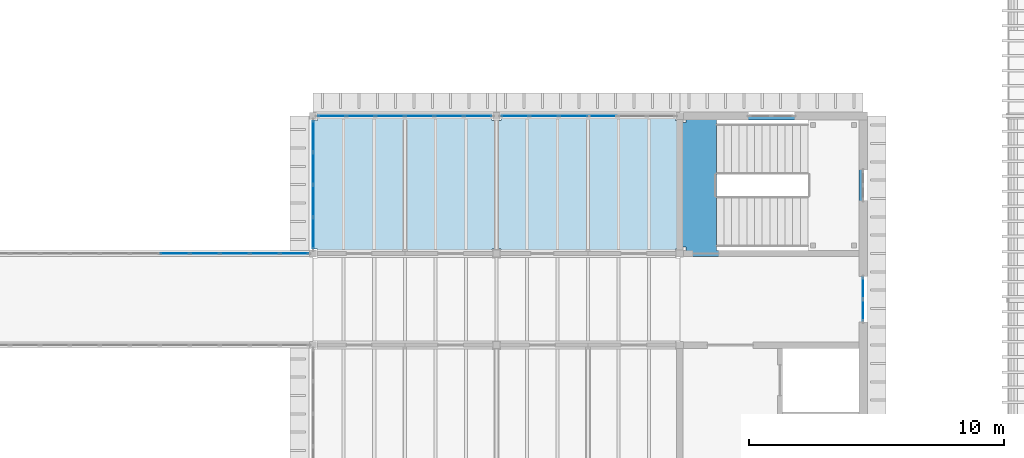
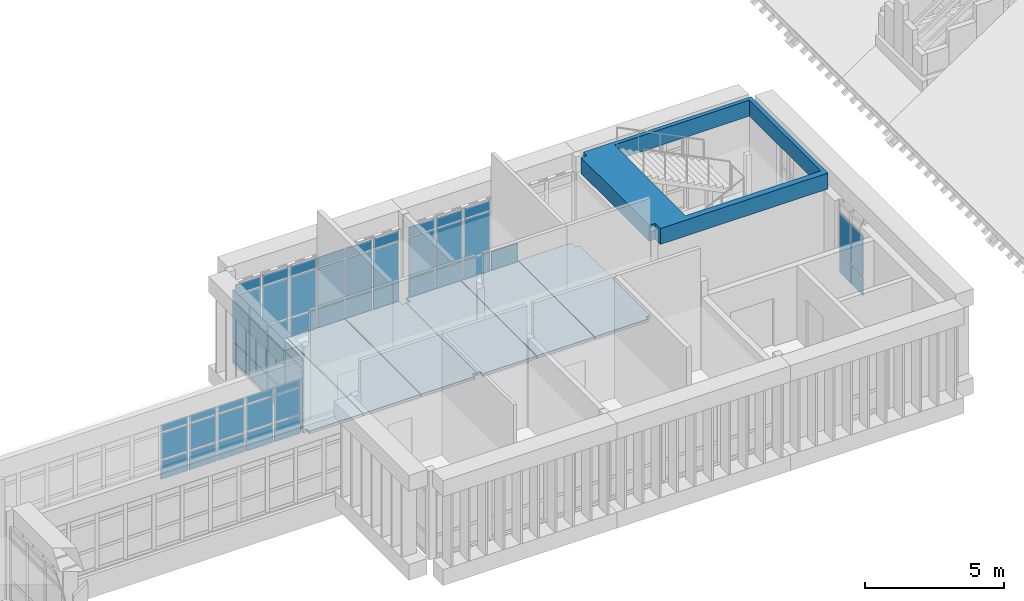
# One storey, part 27 of 51: 59 plates, 7 slabs, 5 elements without a shape of their own.
"""IFC4 building model written with IfcOpenShell, lengths in metres."""

from ifc_helpers import new_model, si_unit, direction, frame, origin, origin_2d, place, context, subcontext, project, spatial, polyline, rectangle, outline, extrude, material, layer, layer_set, type_object, element, aggregate, save


model = new_model("IFC4")

# Units and contexts
model_context = context("Model", 3, precision=1e-05, world=origin(), true_north=direction((0.0, 1.0)))
body_context = subcontext(model_context, "Body", "Model", "MODEL_VIEW")
ifc_project = project(units=[si_unit("LENGTHUNIT", "METRE"), si_unit("AREAUNIT", "SQUARE_METRE"), si_unit("VOLUMEUNIT", "CUBIC_METRE"), si_unit("PLANEANGLEUNIT", "RADIAN"), si_unit("MASSUNIT", "GRAM", prefix="KILO")], contexts=[model_context])

# Site, building, storey
site_placement = place(None, origin())
site = spatial("IfcSite", under=ifc_project, at=site_placement, CompositionType="ELEMENT")
building_placement = place(site_placement, origin())
building = spatial("IfcBuilding", under=site, at=building_placement, Name="Mazhai Court Health Centre", CompositionType="ELEMENT")
storey_placement = place(building_placement, frame((0.0, 0.0, 14.10009765625)))
storey = spatial("IfcBuildingStorey", under=building, at=storey_placement, Name="L03", CompositionType="ELEMENT", Elevation=14.10009765625)

# Slabs
ifc_material_1 = material(Name="CLT C24 5-ply", Category="wood")
ifc_layer_1 = layer(ifc_material_1, 0.1201171875)
ifc_layer_set_1 = layer_set([ifc_layer_1], Name="CLT C24 5-ply 120 floor panel")
slab_type_1 = type_object("IfcSlabType", Name="CLT C24 5-ply 120 floor panel", PredefinedType="FLOOR", material=ifc_layer_set_1)
slab_1_placement = place(storey_placement, frame((0.0, 0.0, -0.1201171875)))
element("IfcSlab", 1, at=slab_1_placement, inside=storey, type_object=slab_type_1, Name="slab-V4-L03-b5-B0", PredefinedType="FLOOR", context=body_context, shape_type="SweptSolid", body=[
    extrude(outline(polyline([(109.389892578125, 27.919921875), (107.169921875, 27.919921875), (107.169921875, 27.6298828125), (107.0, 27.6298828125), (107.0, 22.570068359375), (107.169921875, 22.570068359375), (107.169921875, 22.409912109375), (109.389892578125, 22.409912109375), (109.389892578125, 27.919921875)])), origin(), (0.0, 0.0, 1.0), 0.1201171875),
])
slab_2_placement = place(storey_placement, frame((0.0, 0.0, -0.1201171875)))
element("IfcSlab", 2, at=slab_2_placement, inside=storey, type_object=slab_type_1, Name="slab-V4-L03-b5-B1", PredefinedType="FLOOR", context=body_context, shape_type="SweptSolid", body=[
    extrude(outline(polyline([(109.409912109375, 22.409912109375), (111.7900390625, 22.409912109375), (111.7900390625, 27.919921875), (109.409912109375, 27.919921875), (109.409912109375, 22.409912109375)])), origin(), (0.0, 0.0, 1.0), 0.1201171875),
])
slab_3_placement = place(storey_placement, frame((0.0, 0.0, -0.1201171875)))
element("IfcSlab", 3, at=slab_3_placement, inside=storey, type_object=slab_type_1, Name="slab-V4-L03-b5-B2", PredefinedType="FLOOR", context=body_context, shape_type="SweptSolid", body=[
    extrude(outline(polyline([(114.199951171875, 22.570068359375), (114.199951171875, 27.6298828125), (114.030029296875, 27.6298828125), (114.030029296875, 27.919921875), (111.81005859375, 27.919921875), (111.81005859375, 22.409912109375), (114.030029296875, 22.409912109375), (114.030029296875, 22.570068359375), (114.199951171875, 22.570068359375)])), origin(), (0.0, 0.0, 1.0), 0.1201171875),
])
slab_4_placement = place(storey_placement, frame((0.0, 0.0, -0.1201171875)))
element("IfcSlab", 4, at=slab_4_placement, inside=storey, type_object=slab_type_1, Name="slab-V4-L03-b6-B0", PredefinedType="FLOOR", context=body_context, shape_type="SweptSolid", body=[
    extrude(outline(polyline([(116.590087890625, 27.919921875), (114.3701171875, 27.919921875), (114.3701171875, 27.6298828125), (114.199951171875, 27.6298828125), (114.199951171875, 22.570068359375), (114.3701171875, 22.570068359375), (114.3701171875, 22.409912109375), (116.590087890625, 22.409912109375), (116.590087890625, 27.919921875)])), origin(), (0.0, 0.0, 1.0), 0.1201171875),
])
slab_5_placement = place(storey_placement, frame((0.0, 0.0, -0.1201171875)))
element("IfcSlab", 5, at=slab_5_placement, inside=storey, type_object=slab_type_1, Name="slab-V4-L03-b6-B1", PredefinedType="FLOOR", context=body_context, shape_type="SweptSolid", body=[
    extrude(outline(polyline([(116.610107421875, 22.409912109375), (118.989990234375, 22.409912109375), (118.989990234375, 27.919921875), (116.610107421875, 27.919921875), (116.610107421875, 22.409912109375)])), origin(), (0.0, 0.0, 1.0), 0.1201171875),
])
slab_6_placement = place(storey_placement, frame((0.0, 0.0, -0.1201171875)))
element("IfcSlab", 6, at=slab_6_placement, inside=storey, type_object=slab_type_1, Name="slab-V4-L03-b6-B2", PredefinedType="FLOOR", context=body_context, shape_type="SweptSolid", body=[
    extrude(outline(polyline([(121.39990234375, 22.570068359375), (121.39990234375, 27.6298828125), (121.22998046875, 27.6298828125), (121.22998046875, 27.919921875), (119.010009765625, 27.919921875), (119.010009765625, 22.409912109375), (121.22998046875, 22.409912109375), (121.22998046875, 22.570068359375), (121.39990234375, 22.570068359375)])), origin(), (0.0, 0.0, 1.0), 0.1201171875),
])

# Curtain wall, plates
ifc_material_2 = material(Name="Teak timber frame, glazed", Category="wood")
ifc_layer_2 = layer(ifc_material_2, 0.10009765625)
ifc_layer_set_2 = layer_set([ifc_layer_2], Name="CURTAIN WALL TIMBER 900")
curtain_wall_type_1 = type_object("IfcCurtainWallType", Name="CURTAIN WALL TIMBER 900", PredefinedType="NOTDEFINED", material=ifc_layer_set_2)
curtain_wall_1_placement = place(storey_placement, origin())
curtain_wall_1 = element("IfcCurtainWall", 7, at=curtain_wall_1_placement, inside=storey, type_object=curtain_wall_type_1, Name="CW-V4-L03-ELIFT0", PredefinedType="NOTDEFINED")
ifc_material_3 = material(Name="Glass IGU 28 mm", Category="glass")
ifc_layer_3 = layer(ifc_material_3, 0.028076171875)
ifc_layer_set_3 = layer_set([ifc_layer_3], Name="CW PANEL IGU 28")
plate_type = type_object("IfcPlateType", Name="CW PANEL IGU 28", PredefinedType="CURTAIN_PANEL", material=ifc_layer_set_3)
plate_1_placement = place(storey_placement, frame((128.60009765625, 21.034912109375, 0.059814453125), z_axis=(0.0, 0.0, 1.0), x_axis=(0.0, -1.0, 0.0)))
plate_1 = element("IfcPlate", 8, at=plate_1_placement, type_object=plate_type, Name="CW panel 1.1", PredefinedType="CURTAIN_PANEL", context=body_context, shape_type="SweptSolid", body=[
    extrude(rectangle(XDim=0.81005859375, YDim=0.028076171875, at=origin_2d()), origin(), (0.0, 0.0, 1.0), 0.81005859375),
])
plate_2_placement = place(storey_placement, frame((128.60009765625, 21.034912109375, 0.9296875), z_axis=(0.0, 0.0, 1.0), x_axis=(0.0, -1.0, 0.0)))
plate_2 = element("IfcPlate", 9, at=plate_2_placement, type_object=plate_type, Name="CW panel 1.2", PredefinedType="CURTAIN_PANEL", context=body_context, shape_type="SweptSolid", body=[
    extrude(rectangle(XDim=0.81005859375, YDim=0.028076171875, at=origin_2d()), origin(), (0.0, 0.0, 1.0), 1.739990234375),
])
plate_3_placement = place(storey_placement, frame((128.60009765625, 20.1650390625, 0.059814453125), z_axis=(0.0, 0.0, 1.0), x_axis=(0.0, -1.0, 0.0)))
plate_3 = element("IfcPlate", 10, at=plate_3_placement, type_object=plate_type, Name="CW panel 2.1", PredefinedType="CURTAIN_PANEL", context=body_context, shape_type="SweptSolid", body=[
    extrude(rectangle(XDim=0.81005859375, YDim=0.028076171875, at=origin_2d()), origin(), (0.0, 0.0, 1.0), 0.81005859375),
])
plate_4_placement = place(storey_placement, frame((128.60009765625, 20.1650390625, 0.9296875), z_axis=(0.0, 0.0, 1.0), x_axis=(0.0, -1.0, 0.0)))
plate_4 = element("IfcPlate", 11, at=plate_4_placement, type_object=plate_type, Name="CW panel 2.2", PredefinedType="CURTAIN_PANEL", context=body_context, shape_type="SweptSolid", body=[
    extrude(rectangle(XDim=0.81005859375, YDim=0.028076171875, at=origin_2d()), origin(), (0.0, 0.0, 1.0), 1.739990234375),
])
aggregate(curtain_wall_1, [plate_1, plate_2, plate_3, plate_4])

ifc_material_4 = material(Name="Teak timber frame, glazed", Category="wood")
ifc_layer_4 = layer(ifc_material_4, 0.10009765625)
ifc_layer_set_4 = layer_set([ifc_layer_4], Name="CURTAIN WALL TIMBER 1200")
curtain_wall_type_2 = type_object("IfcCurtainWallType", Name="CURTAIN WALL TIMBER 1200", PredefinedType="NOTDEFINED", material=ifc_layer_set_4)
curtain_wall_2_placement = place(storey_placement, origin())
curtain_wall_2 = element("IfcCurtainWall", 12, at=curtain_wall_2_placement, inside=storey, type_object=curtain_wall_type_2, Name="CW-V4-L03-B5", PredefinedType="NOTDEFINED")
plate_5_placement = place(storey_placement, frame((107.731689453125, 27.800048828125, 0.059814453125), z_axis=(0.0, 0.0, 1.0), x_axis=(1.0, 0.0, 0.0)))
plate_5 = element("IfcPlate", 13, at=plate_5_placement, type_object=plate_type, Name="CW panel 1.1", PredefinedType="CURTAIN_PANEL", context=body_context, shape_type="SweptSolid", body=[
    extrude(rectangle(XDim=1.063232421875, YDim=0.028076171875, at=origin_2d()), origin(), (0.0, 0.0, 1.0), 0.81005859375),
])
plate_6_placement = place(storey_placement, frame((107.731689453125, 27.800048828125, 0.9296875), z_axis=(0.0, 0.0, 1.0), x_axis=(1.0, 0.0, 0.0)))
plate_6 = element("IfcPlate", 14, at=plate_6_placement, type_object=plate_type, Name="CW panel 1.2", PredefinedType="CURTAIN_PANEL", context=body_context, shape_type="SweptSolid", body=[
    extrude(rectangle(XDim=1.063232421875, YDim=0.028076171875, at=origin_2d()), origin(), (0.0, 0.0, 1.0), 1.739990234375),
])
plate_7_placement = place(storey_placement, frame((107.731689453125, 27.800048828125, 2.72998046875), z_axis=(0.0, 0.0, 1.0), x_axis=(1.0, 0.0, 0.0)))
plate_7 = element("IfcPlate", 15, at=plate_7_placement, type_object=plate_type, Name="CW panel 1.3", PredefinedType="CURTAIN_PANEL", context=body_context, shape_type="SweptSolid", body=[
    extrude(rectangle(XDim=1.063232421875, YDim=0.028076171875, at=origin_2d()), origin(), (0.0, 0.0, 1.0), 0.409912109375),
])
plate_8_placement = place(storey_placement, frame((108.8701171875, 27.800048828125, 0.059814453125), z_axis=(0.0, 0.0, 1.0), x_axis=(1.0, 0.0, 0.0)))
plate_8 = element("IfcPlate", 16, at=plate_8_placement, type_object=plate_type, Name="CW panel 2.1", PredefinedType="CURTAIN_PANEL", context=body_context, shape_type="SweptSolid", body=[
    extrude(rectangle(XDim=1.09326171875, YDim=0.028076171875, at=origin_2d()), origin(), (0.0, 0.0, 1.0), 0.81005859375),
])
plate_9_placement = place(storey_placement, frame((108.8701171875, 27.800048828125, 0.9296875), z_axis=(0.0, 0.0, 1.0), x_axis=(1.0, 0.0, 0.0)))
plate_9 = element("IfcPlate", 17, at=plate_9_placement, type_object=plate_type, Name="CW panel 2.2", PredefinedType="CURTAIN_PANEL", context=body_context, shape_type="SweptSolid", body=[
    extrude(rectangle(XDim=1.09326171875, YDim=0.028076171875, at=origin_2d()), origin(), (0.0, 0.0, 1.0), 1.739990234375),
])
plate_10_placement = place(storey_placement, frame((108.8701171875, 27.800048828125, 2.72998046875), z_axis=(0.0, 0.0, 1.0), x_axis=(1.0, 0.0, 0.0)))
plate_10 = element("IfcPlate", 18, at=plate_10_placement, type_object=plate_type, Name="CW panel 2.3", PredefinedType="CURTAIN_PANEL", context=body_context, shape_type="SweptSolid", body=[
    extrude(rectangle(XDim=1.09326171875, YDim=0.028076171875, at=origin_2d()), origin(), (0.0, 0.0, 1.0), 0.409912109375),
])
plate_11_placement = place(storey_placement, frame((110.0234375, 27.800048828125, 0.059814453125), z_axis=(0.0, 0.0, 1.0), x_axis=(1.0, 0.0, 0.0)))
plate_11 = element("IfcPlate", 19, at=plate_11_placement, type_object=plate_type, Name="CW panel 3.1", PredefinedType="CURTAIN_PANEL", context=body_context, shape_type="SweptSolid", body=[
    extrude(rectangle(XDim=1.09326171875, YDim=0.028076171875, at=origin_2d()), origin(), (0.0, 0.0, 1.0), 0.81005859375),
])
plate_12_placement = place(storey_placement, frame((110.0234375, 27.800048828125, 0.9296875), z_axis=(0.0, 0.0, 1.0), x_axis=(1.0, 0.0, 0.0)))
plate_12 = element("IfcPlate", 20, at=plate_12_placement, type_object=plate_type, Name="CW panel 3.2", PredefinedType="CURTAIN_PANEL", context=body_context, shape_type="SweptSolid", body=[
    extrude(rectangle(XDim=1.09326171875, YDim=0.028076171875, at=origin_2d()), origin(), (0.0, 0.0, 1.0), 1.739990234375),
])
plate_13_placement = place(storey_placement, frame((110.0234375, 27.800048828125, 2.72998046875), z_axis=(0.0, 0.0, 1.0), x_axis=(1.0, 0.0, 0.0)))
plate_13 = element("IfcPlate", 21, at=plate_13_placement, type_object=plate_type, Name="CW panel 3.3", PredefinedType="CURTAIN_PANEL", context=body_context, shape_type="SweptSolid", body=[
    extrude(rectangle(XDim=1.09326171875, YDim=0.028076171875, at=origin_2d()), origin(), (0.0, 0.0, 1.0), 0.409912109375),
])
plate_14_placement = place(storey_placement, frame((111.1767578125, 27.800048828125, 0.059814453125), z_axis=(0.0, 0.0, 1.0), x_axis=(1.0, 0.0, 0.0)))
plate_14 = element("IfcPlate", 22, at=plate_14_placement, type_object=plate_type, Name="CW panel 4.1", PredefinedType="CURTAIN_PANEL", context=body_context, shape_type="SweptSolid", body=[
    extrude(rectangle(XDim=1.09326171875, YDim=0.028076171875, at=origin_2d()), origin(), (0.0, 0.0, 1.0), 0.81005859375),
])
plate_15_placement = place(storey_placement, frame((111.1767578125, 27.800048828125, 0.9296875), z_axis=(0.0, 0.0, 1.0), x_axis=(1.0, 0.0, 0.0)))
plate_15 = element("IfcPlate", 23, at=plate_15_placement, type_object=plate_type, Name="CW panel 4.2", PredefinedType="CURTAIN_PANEL", context=body_context, shape_type="SweptSolid", body=[
    extrude(rectangle(XDim=1.09326171875, YDim=0.028076171875, at=origin_2d()), origin(), (0.0, 0.0, 1.0), 1.739990234375),
])
plate_16_placement = place(storey_placement, frame((111.1767578125, 27.800048828125, 2.72998046875), z_axis=(0.0, 0.0, 1.0), x_axis=(1.0, 0.0, 0.0)))
plate_16 = element("IfcPlate", 24, at=plate_16_placement, type_object=plate_type, Name="CW panel 4.3", PredefinedType="CURTAIN_PANEL", context=body_context, shape_type="SweptSolid", body=[
    extrude(rectangle(XDim=1.09326171875, YDim=0.028076171875, at=origin_2d()), origin(), (0.0, 0.0, 1.0), 0.409912109375),
])
plate_17_placement = place(storey_placement, frame((112.330078125, 27.800048828125, 0.059814453125), z_axis=(0.0, 0.0, 1.0), x_axis=(1.0, 0.0, 0.0)))
plate_17 = element("IfcPlate", 25, at=plate_17_placement, type_object=plate_type, Name="CW panel 5.1", PredefinedType="CURTAIN_PANEL", context=body_context, shape_type="SweptSolid", body=[
    extrude(rectangle(XDim=1.09326171875, YDim=0.028076171875, at=origin_2d()), origin(), (0.0, 0.0, 1.0), 0.81005859375),
])
plate_18_placement = place(storey_placement, frame((112.330078125, 27.800048828125, 0.9296875), z_axis=(0.0, 0.0, 1.0), x_axis=(1.0, 0.0, 0.0)))
plate_18 = element("IfcPlate", 26, at=plate_18_placement, type_object=plate_type, Name="CW panel 5.2", PredefinedType="CURTAIN_PANEL", context=body_context, shape_type="SweptSolid", body=[
    extrude(rectangle(XDim=1.09326171875, YDim=0.028076171875, at=origin_2d()), origin(), (0.0, 0.0, 1.0), 1.739990234375),
])
plate_19_placement = place(storey_placement, frame((112.330078125, 27.800048828125, 2.72998046875), z_axis=(0.0, 0.0, 1.0), x_axis=(1.0, 0.0, 0.0)))
plate_19 = element("IfcPlate", 27, at=plate_19_placement, type_object=plate_type, Name="CW panel 5.3", PredefinedType="CURTAIN_PANEL", context=body_context, shape_type="SweptSolid", body=[
    extrude(rectangle(XDim=1.09326171875, YDim=0.028076171875, at=origin_2d()), origin(), (0.0, 0.0, 1.0), 0.409912109375),
])
plate_20_placement = place(storey_placement, frame((113.46826171875, 27.800048828125, 0.059814453125), z_axis=(0.0, 0.0, 1.0), x_axis=(1.0, 0.0, 0.0)))
plate_20 = element("IfcPlate", 28, at=plate_20_placement, type_object=plate_type, Name="CW panel 6.1", PredefinedType="CURTAIN_PANEL", context=body_context, shape_type="SweptSolid", body=[
    extrude(rectangle(XDim=1.063232421875, YDim=0.028076171875, at=origin_2d()), origin(), (0.0, 0.0, 1.0), 0.81005859375),
])
plate_21_placement = place(storey_placement, frame((113.46826171875, 27.800048828125, 0.9296875), z_axis=(0.0, 0.0, 1.0), x_axis=(1.0, 0.0, 0.0)))
plate_21 = element("IfcPlate", 29, at=plate_21_placement, type_object=plate_type, Name="CW panel 6.2", PredefinedType="CURTAIN_PANEL", context=body_context, shape_type="SweptSolid", body=[
    extrude(rectangle(XDim=1.063232421875, YDim=0.028076171875, at=origin_2d()), origin(), (0.0, 0.0, 1.0), 1.739990234375),
])
plate_22_placement = place(storey_placement, frame((113.46826171875, 27.800048828125, 2.72998046875), z_axis=(0.0, 0.0, 1.0), x_axis=(1.0, 0.0, 0.0)))
plate_22 = element("IfcPlate", 30, at=plate_22_placement, type_object=plate_type, Name="CW panel 6.3", PredefinedType="CURTAIN_PANEL", context=body_context, shape_type="SweptSolid", body=[
    extrude(rectangle(XDim=1.063232421875, YDim=0.028076171875, at=origin_2d()), origin(), (0.0, 0.0, 1.0), 0.409912109375),
])
aggregate(curtain_wall_2, [plate_5, plate_6, plate_7, plate_8, plate_9, plate_10, plate_11, plate_12, plate_13, plate_14, plate_15, plate_16, plate_17, plate_18, plate_19, plate_20, plate_21, plate_22])

curtain_wall_3_placement = place(storey_placement, origin())
curtain_wall_3 = element("IfcCurtainWall", 31, at=curtain_wall_3_placement, inside=storey, type_object=curtain_wall_type_2, Name="CW-V4-L03-B6", PredefinedType="NOTDEFINED")
plate_23_placement = place(storey_placement, frame((114.931640625, 27.800048828125, 0.059814453125), z_axis=(0.0, 0.0, 1.0), x_axis=(1.0, 0.0, 0.0)))
plate_23 = element("IfcPlate", 32, at=plate_23_placement, type_object=plate_type, Name="CW panel 1.1", PredefinedType="CURTAIN_PANEL", context=body_context, shape_type="SweptSolid", body=[
    extrude(rectangle(XDim=1.063232421875, YDim=0.028076171875, at=origin_2d()), origin(), (0.0, 0.0, 1.0), 0.81005859375),
])
plate_24_placement = place(storey_placement, frame((114.931640625, 27.800048828125, 0.9296875), z_axis=(0.0, 0.0, 1.0), x_axis=(1.0, 0.0, 0.0)))
plate_24 = element("IfcPlate", 33, at=plate_24_placement, type_object=plate_type, Name="CW panel 1.2", PredefinedType="CURTAIN_PANEL", context=body_context, shape_type="SweptSolid", body=[
    extrude(rectangle(XDim=1.063232421875, YDim=0.028076171875, at=origin_2d()), origin(), (0.0, 0.0, 1.0), 1.739990234375),
])
plate_25_placement = place(storey_placement, frame((114.931640625, 27.800048828125, 2.72998046875), z_axis=(0.0, 0.0, 1.0), x_axis=(1.0, 0.0, 0.0)))
plate_25 = element("IfcPlate", 34, at=plate_25_placement, type_object=plate_type, Name="CW panel 1.3", PredefinedType="CURTAIN_PANEL", context=body_context, shape_type="SweptSolid", body=[
    extrude(rectangle(XDim=1.063232421875, YDim=0.028076171875, at=origin_2d()), origin(), (0.0, 0.0, 1.0), 0.409912109375),
])
plate_26_placement = place(storey_placement, frame((116.070068359375, 27.800048828125, 0.059814453125), z_axis=(0.0, 0.0, 1.0), x_axis=(1.0, 0.0, 0.0)))
plate_26 = element("IfcPlate", 35, at=plate_26_placement, type_object=plate_type, Name="CW panel 2.1", PredefinedType="CURTAIN_PANEL", context=body_context, shape_type="SweptSolid", body=[
    extrude(rectangle(XDim=1.09326171875, YDim=0.028076171875, at=origin_2d()), origin(), (0.0, 0.0, 1.0), 0.81005859375),
])
plate_27_placement = place(storey_placement, frame((116.070068359375, 27.800048828125, 0.9296875), z_axis=(0.0, 0.0, 1.0), x_axis=(1.0, 0.0, 0.0)))
plate_27 = element("IfcPlate", 36, at=plate_27_placement, type_object=plate_type, Name="CW panel 2.2", PredefinedType="CURTAIN_PANEL", context=body_context, shape_type="SweptSolid", body=[
    extrude(rectangle(XDim=1.09326171875, YDim=0.028076171875, at=origin_2d()), origin(), (0.0, 0.0, 1.0), 1.739990234375),
])
plate_28_placement = place(storey_placement, frame((116.070068359375, 27.800048828125, 2.72998046875), z_axis=(0.0, 0.0, 1.0), x_axis=(1.0, 0.0, 0.0)))
plate_28 = element("IfcPlate", 37, at=plate_28_placement, type_object=plate_type, Name="CW panel 2.3", PredefinedType="CURTAIN_PANEL", context=body_context, shape_type="SweptSolid", body=[
    extrude(rectangle(XDim=1.09326171875, YDim=0.028076171875, at=origin_2d()), origin(), (0.0, 0.0, 1.0), 0.409912109375),
])
plate_29_placement = place(storey_placement, frame((117.223388671875, 27.800048828125, 0.059814453125), z_axis=(0.0, 0.0, 1.0), x_axis=(1.0, 0.0, 0.0)))
plate_29 = element("IfcPlate", 38, at=plate_29_placement, type_object=plate_type, Name="CW panel 3.1", PredefinedType="CURTAIN_PANEL", context=body_context, shape_type="SweptSolid", body=[
    extrude(rectangle(XDim=1.09326171875, YDim=0.028076171875, at=origin_2d()), origin(), (0.0, 0.0, 1.0), 0.81005859375),
])
plate_30_placement = place(storey_placement, frame((117.223388671875, 27.800048828125, 0.9296875), z_axis=(0.0, 0.0, 1.0), x_axis=(1.0, 0.0, 0.0)))
plate_30 = element("IfcPlate", 39, at=plate_30_placement, type_object=plate_type, Name="CW panel 3.2", PredefinedType="CURTAIN_PANEL", context=body_context, shape_type="SweptSolid", body=[
    extrude(rectangle(XDim=1.09326171875, YDim=0.028076171875, at=origin_2d()), origin(), (0.0, 0.0, 1.0), 1.739990234375),
])
plate_31_placement = place(storey_placement, frame((117.223388671875, 27.800048828125, 2.72998046875), z_axis=(0.0, 0.0, 1.0), x_axis=(1.0, 0.0, 0.0)))
plate_31 = element("IfcPlate", 40, at=plate_31_placement, type_object=plate_type, Name="CW panel 3.3", PredefinedType="CURTAIN_PANEL", context=body_context, shape_type="SweptSolid", body=[
    extrude(rectangle(XDim=1.09326171875, YDim=0.028076171875, at=origin_2d()), origin(), (0.0, 0.0, 1.0), 0.409912109375),
])
plate_32_placement = place(storey_placement, frame((118.376708984375, 27.800048828125, 0.059814453125), z_axis=(0.0, 0.0, 1.0), x_axis=(1.0, 0.0, 0.0)))
plate_32 = element("IfcPlate", 41, at=plate_32_placement, type_object=plate_type, Name="CW panel 4.1", PredefinedType="CURTAIN_PANEL", context=body_context, shape_type="SweptSolid", body=[
    extrude(rectangle(XDim=1.09326171875, YDim=0.028076171875, at=origin_2d()), origin(), (0.0, 0.0, 1.0), 0.81005859375),
])
aggregate(curtain_wall_3, [plate_23, plate_24, plate_25, plate_26, plate_27, plate_28, plate_29, plate_30, plate_31, plate_32])

curtain_wall_4_placement = place(storey_placement, origin())
curtain_wall_4 = element("IfcCurtainWall", 42, at=curtain_wall_4_placement, inside=storey, type_object=curtain_wall_type_2, Name="CW-V4-L03-CW5-1", PredefinedType="NOTDEFINED")
plate_33_placement = place(storey_placement, frame((107.0, 23.195068359375, 0.059814453125), z_axis=(0.0, 0.0, 1.0), x_axis=(0.0, 1.0, 0.0)))
plate_33 = element("IfcPlate", 43, at=plate_33_placement, type_object=plate_type, Name="CW panel 1.1", PredefinedType="CURTAIN_PANEL", context=body_context, shape_type="SweptSolid", body=[
    extrude(rectangle(XDim=1.18994140625, YDim=0.028076171875, at=origin_2d()), origin(), (0.0, 0.0, 1.0), 0.81005859375),
])
plate_34_placement = place(storey_placement, frame((107.0, 23.195068359375, 0.9296875), z_axis=(0.0, 0.0, 1.0), x_axis=(0.0, 1.0, 0.0)))
plate_34 = element("IfcPlate", 44, at=plate_34_placement, type_object=plate_type, Name="CW panel 1.2", PredefinedType="CURTAIN_PANEL", context=body_context, shape_type="SweptSolid", body=[
    extrude(rectangle(XDim=1.18994140625, YDim=0.028076171875, at=origin_2d()), origin(), (0.0, 0.0, 1.0), 1.739990234375),
])
plate_35_placement = place(storey_placement, frame((107.0, 23.195068359375, 2.72998046875), z_axis=(0.0, 0.0, 1.0), x_axis=(0.0, 1.0, 0.0)))
plate_35 = element("IfcPlate", 45, at=plate_35_placement, type_object=plate_type, Name="CW panel 1.3", PredefinedType="CURTAIN_PANEL", context=body_context, shape_type="SweptSolid", body=[
    extrude(rectangle(XDim=1.18994140625, YDim=0.028076171875, at=origin_2d()), origin(), (0.0, 0.0, 1.0), 0.409912109375),
])
plate_36_placement = place(storey_placement, frame((107.0, 24.4599609375, 0.059814453125), z_axis=(0.0, 0.0, 1.0), x_axis=(0.0, 1.0, 0.0)))
plate_36 = element("IfcPlate", 46, at=plate_36_placement, type_object=plate_type, Name="CW panel 2.1", PredefinedType="CURTAIN_PANEL", context=body_context, shape_type="SweptSolid", body=[
    extrude(rectangle(XDim=1.219970703125, YDim=0.028076171875, at=origin_2d()), origin(), (0.0, 0.0, 1.0), 0.81005859375),
])
plate_37_placement = place(storey_placement, frame((107.0, 24.4599609375, 0.9296875), z_axis=(0.0, 0.0, 1.0), x_axis=(0.0, 1.0, 0.0)))
plate_37 = element("IfcPlate", 47, at=plate_37_placement, type_object=plate_type, Name="CW panel 2.2", PredefinedType="CURTAIN_PANEL", context=body_context, shape_type="SweptSolid", body=[
    extrude(rectangle(XDim=1.219970703125, YDim=0.028076171875, at=origin_2d()), origin(), (0.0, 0.0, 1.0), 1.739990234375),
])
plate_38_placement = place(storey_placement, frame((107.0, 24.4599609375, 2.72998046875), z_axis=(0.0, 0.0, 1.0), x_axis=(0.0, 1.0, 0.0)))
plate_38 = element("IfcPlate", 48, at=plate_38_placement, type_object=plate_type, Name="CW panel 2.3", PredefinedType="CURTAIN_PANEL", context=body_context, shape_type="SweptSolid", body=[
    extrude(rectangle(XDim=1.219970703125, YDim=0.028076171875, at=origin_2d()), origin(), (0.0, 0.0, 1.0), 0.409912109375),
])
plate_39_placement = place(storey_placement, frame((107.0, 25.739990234375, 0.059814453125), z_axis=(0.0, 0.0, 1.0), x_axis=(0.0, 1.0, 0.0)))
plate_39 = element("IfcPlate", 49, at=plate_39_placement, type_object=plate_type, Name="CW panel 3.1", PredefinedType="CURTAIN_PANEL", context=body_context, shape_type="SweptSolid", body=[
    extrude(rectangle(XDim=1.219970703125, YDim=0.028076171875, at=origin_2d()), origin(), (0.0, 0.0, 1.0), 0.81005859375),
])
plate_40_placement = place(storey_placement, frame((107.0, 25.739990234375, 0.9296875), z_axis=(0.0, 0.0, 1.0), x_axis=(0.0, 1.0, 0.0)))
plate_40 = element("IfcPlate", 50, at=plate_40_placement, type_object=plate_type, Name="CW panel 3.2", PredefinedType="CURTAIN_PANEL", context=body_context, shape_type="SweptSolid", body=[
    extrude(rectangle(XDim=1.219970703125, YDim=0.028076171875, at=origin_2d()), origin(), (0.0, 0.0, 1.0), 1.739990234375),
])
plate_41_placement = place(storey_placement, frame((107.0, 25.739990234375, 2.72998046875), z_axis=(0.0, 0.0, 1.0), x_axis=(0.0, 1.0, 0.0)))
plate_41 = element("IfcPlate", 51, at=plate_41_placement, type_object=plate_type, Name="CW panel 3.3", PredefinedType="CURTAIN_PANEL", context=body_context, shape_type="SweptSolid", body=[
    extrude(rectangle(XDim=1.219970703125, YDim=0.028076171875, at=origin_2d()), origin(), (0.0, 0.0, 1.0), 0.409912109375),
])
plate_42_placement = place(storey_placement, frame((107.0, 27.0048828125, 0.059814453125), z_axis=(0.0, 0.0, 1.0), x_axis=(0.0, 1.0, 0.0)))
plate_42 = element("IfcPlate", 52, at=plate_42_placement, type_object=plate_type, Name="CW panel 4.1", PredefinedType="CURTAIN_PANEL", context=body_context, shape_type="SweptSolid", body=[
    extrude(rectangle(XDim=1.18994140625, YDim=0.028076171875, at=origin_2d()), origin(), (0.0, 0.0, 1.0), 0.81005859375),
])
plate_43_placement = place(storey_placement, frame((107.0, 27.0048828125, 0.9296875), z_axis=(0.0, 0.0, 1.0), x_axis=(0.0, 1.0, 0.0)))
plate_43 = element("IfcPlate", 53, at=plate_43_placement, type_object=plate_type, Name="CW panel 4.2", PredefinedType="CURTAIN_PANEL", context=body_context, shape_type="SweptSolid", body=[
    extrude(rectangle(XDim=1.18994140625, YDim=0.028076171875, at=origin_2d()), origin(), (0.0, 0.0, 1.0), 1.739990234375),
])
plate_44_placement = place(storey_placement, frame((107.0, 27.0048828125, 2.72998046875), z_axis=(0.0, 0.0, 1.0), x_axis=(0.0, 1.0, 0.0)))
plate_44 = element("IfcPlate", 54, at=plate_44_placement, type_object=plate_type, Name="CW panel 4.3", PredefinedType="CURTAIN_PANEL", context=body_context, shape_type="SweptSolid", body=[
    extrude(rectangle(XDim=1.18994140625, YDim=0.028076171875, at=origin_2d()), origin(), (0.0, 0.0, 1.0), 0.409912109375),
])
aggregate(curtain_wall_4, [plate_33, plate_34, plate_35, plate_36, plate_37, plate_38, plate_39, plate_40, plate_41, plate_42, plate_43, plate_44])

curtain_wall_5_placement = place(storey_placement, origin())
curtain_wall_5 = element("IfcCurtainWall", 55, at=curtain_wall_5_placement, inside=storey, type_object=curtain_wall_type_2, Name="CW-BR-LC3-N", PredefinedType="NOTDEFINED")
plate_45_placement = place(storey_placement, frame((101.56494140625, 22.39990234375, 0.059814453125), z_axis=(0.0, 0.0, 1.0), x_axis=(1.0, 0.0, 0.0)))
plate_45 = element("IfcPlate", 56, at=plate_45_placement, type_object=plate_type, Name="CW panel 8.1", PredefinedType="CURTAIN_PANEL", context=body_context, shape_type="SweptSolid", body=[
    extrude(rectangle(XDim=1.11669921875, YDim=0.028076171875, at=origin_2d()), origin(), (0.0, 0.0, 1.0), 0.81005859375),
])
plate_46_placement = place(storey_placement, frame((101.56494140625, 22.39990234375, 0.929931640625), z_axis=(0.0, 0.0, 1.0), x_axis=(1.0, 0.0, 0.0)))
plate_46 = element("IfcPlate", 57, at=plate_46_placement, type_object=plate_type, Name="CW panel 8.2", PredefinedType="CURTAIN_PANEL", context=body_context, shape_type="SweptSolid", body=[
    extrude(rectangle(XDim=1.11669921875, YDim=0.028076171875, at=origin_2d()), origin(), (0.0, 0.0, 1.0), 1.14501953125),
])
plate_47_placement = place(storey_placement, frame((101.56494140625, 22.39990234375, 2.134765625), z_axis=(0.0, 0.0, 1.0), x_axis=(1.0, 0.0, 0.0)))
plate_47 = element("IfcPlate", 58, at=plate_47_placement, type_object=plate_type, Name="CW panel 8.3", PredefinedType="CURTAIN_PANEL", context=body_context, shape_type="SweptSolid", body=[
    extrude(rectangle(XDim=1.11669921875, YDim=0.028076171875, at=origin_2d()), origin(), (0.0, 0.0, 1.0), 0.31005859375),
])
plate_48_placement = place(storey_placement, frame((102.74169921875, 22.39990234375, 0.059814453125), z_axis=(0.0, 0.0, 1.0), x_axis=(1.0, 0.0, 0.0)))
plate_48 = element("IfcPlate", 59, at=plate_48_placement, type_object=plate_type, Name="CW panel 9.1", PredefinedType="CURTAIN_PANEL", context=body_context, shape_type="SweptSolid", body=[
    extrude(rectangle(XDim=1.11669921875, YDim=0.028076171875, at=origin_2d()), origin(), (0.0, 0.0, 1.0), 0.81005859375),
])
plate_49_placement = place(storey_placement, frame((102.74169921875, 22.39990234375, 0.929931640625), z_axis=(0.0, 0.0, 1.0), x_axis=(1.0, 0.0, 0.0)))
plate_49 = element("IfcPlate", 60, at=plate_49_placement, type_object=plate_type, Name="CW panel 9.2", PredefinedType="CURTAIN_PANEL", context=body_context, shape_type="SweptSolid", body=[
    extrude(rectangle(XDim=1.11669921875, YDim=0.028076171875, at=origin_2d()), origin(), (0.0, 0.0, 1.0), 1.14501953125),
])
plate_50_placement = place(storey_placement, frame((102.74169921875, 22.39990234375, 2.134765625), z_axis=(0.0, 0.0, 1.0), x_axis=(1.0, 0.0, 0.0)))
plate_50 = element("IfcPlate", 61, at=plate_50_placement, type_object=plate_type, Name="CW panel 9.3", PredefinedType="CURTAIN_PANEL", context=body_context, shape_type="SweptSolid", body=[
    extrude(rectangle(XDim=1.11669921875, YDim=0.028076171875, at=origin_2d()), origin(), (0.0, 0.0, 1.0), 0.31005859375),
])
plate_51_placement = place(storey_placement, frame((103.918212890625, 22.39990234375, 0.059814453125), z_axis=(0.0, 0.0, 1.0), x_axis=(1.0, 0.0, 0.0)))
plate_51 = element("IfcPlate", 62, at=plate_51_placement, type_object=plate_type, Name="CW panel 10.1", PredefinedType="CURTAIN_PANEL", context=body_context, shape_type="SweptSolid", body=[
    extrude(rectangle(XDim=1.11669921875, YDim=0.028076171875, at=origin_2d()), origin(), (0.0, 0.0, 1.0), 0.81005859375),
])
plate_52_placement = place(storey_placement, frame((103.918212890625, 22.39990234375, 0.929931640625), z_axis=(0.0, 0.0, 1.0), x_axis=(1.0, 0.0, 0.0)))
plate_52 = element("IfcPlate", 63, at=plate_52_placement, type_object=plate_type, Name="CW panel 10.2", PredefinedType="CURTAIN_PANEL", context=body_context, shape_type="SweptSolid", body=[
    extrude(rectangle(XDim=1.11669921875, YDim=0.028076171875, at=origin_2d()), origin(), (0.0, 0.0, 1.0), 1.14501953125),
])
plate_53_placement = place(storey_placement, frame((103.918212890625, 22.39990234375, 2.134765625), z_axis=(0.0, 0.0, 1.0), x_axis=(1.0, 0.0, 0.0)))
plate_53 = element("IfcPlate", 64, at=plate_53_placement, type_object=plate_type, Name="CW panel 10.3", PredefinedType="CURTAIN_PANEL", context=body_context, shape_type="SweptSolid", body=[
    extrude(rectangle(XDim=1.11669921875, YDim=0.028076171875, at=origin_2d()), origin(), (0.0, 0.0, 1.0), 0.31005859375),
])
plate_54_placement = place(storey_placement, frame((105.094970703125, 22.39990234375, 0.059814453125), z_axis=(0.0, 0.0, 1.0), x_axis=(1.0, 0.0, 0.0)))
plate_54 = element("IfcPlate", 65, at=plate_54_placement, type_object=plate_type, Name="CW panel 11.1", PredefinedType="CURTAIN_PANEL", context=body_context, shape_type="SweptSolid", body=[
    extrude(rectangle(XDim=1.11669921875, YDim=0.028076171875, at=origin_2d()), origin(), (0.0, 0.0, 1.0), 0.81005859375),
])
plate_55_placement = place(storey_placement, frame((105.094970703125, 22.39990234375, 0.929931640625), z_axis=(0.0, 0.0, 1.0), x_axis=(1.0, 0.0, 0.0)))
plate_55 = element("IfcPlate", 66, at=plate_55_placement, type_object=plate_type, Name="CW panel 11.2", PredefinedType="CURTAIN_PANEL", context=body_context, shape_type="SweptSolid", body=[
    extrude(rectangle(XDim=1.11669921875, YDim=0.028076171875, at=origin_2d()), origin(), (0.0, 0.0, 1.0), 1.14501953125),
])
plate_56_placement = place(storey_placement, frame((105.094970703125, 22.39990234375, 2.134765625), z_axis=(0.0, 0.0, 1.0), x_axis=(1.0, 0.0, 0.0)))
plate_56 = element("IfcPlate", 67, at=plate_56_placement, type_object=plate_type, Name="CW panel 11.3", PredefinedType="CURTAIN_PANEL", context=body_context, shape_type="SweptSolid", body=[
    extrude(rectangle(XDim=1.11669921875, YDim=0.028076171875, at=origin_2d()), origin(), (0.0, 0.0, 1.0), 0.31005859375),
])
plate_57_placement = place(storey_placement, frame((106.256591796875, 22.39990234375, 0.059814453125), z_axis=(0.0, 0.0, 1.0), x_axis=(1.0, 0.0, 0.0)))
plate_57 = element("IfcPlate", 68, at=plate_57_placement, type_object=plate_type, Name="CW panel 12.1", PredefinedType="CURTAIN_PANEL", context=body_context, shape_type="SweptSolid", body=[
    extrude(rectangle(XDim=1.086669921875, YDim=0.028076171875, at=origin_2d()), origin(), (0.0, 0.0, 1.0), 0.81005859375),
])
plate_58_placement = place(storey_placement, frame((106.256591796875, 22.39990234375, 0.929931640625), z_axis=(0.0, 0.0, 1.0), x_axis=(1.0, 0.0, 0.0)))
plate_58 = element("IfcPlate", 69, at=plate_58_placement, type_object=plate_type, Name="CW panel 12.2", PredefinedType="CURTAIN_PANEL", context=body_context, shape_type="SweptSolid", body=[
    extrude(rectangle(XDim=1.086669921875, YDim=0.028076171875, at=origin_2d()), origin(), (0.0, 0.0, 1.0), 1.14501953125),
])
plate_59_placement = place(storey_placement, frame((106.256591796875, 22.39990234375, 2.134765625), z_axis=(0.0, 0.0, 1.0), x_axis=(1.0, 0.0, 0.0)))
plate_59 = element("IfcPlate", 70, at=plate_59_placement, type_object=plate_type, Name="CW panel 12.3", PredefinedType="CURTAIN_PANEL", context=body_context, shape_type="SweptSolid", body=[
    extrude(rectangle(XDim=1.086669921875, YDim=0.028076171875, at=origin_2d()), origin(), (0.0, 0.0, 1.0), 0.31005859375),
])
aggregate(curtain_wall_5, [plate_45, plate_46, plate_47, plate_48, plate_49, plate_50, plate_51, plate_52, plate_53, plate_54, plate_55, plate_56, plate_57, plate_58, plate_59])

# Slab
ifc_material_5 = material(Name="Concrete M40", Category="concrete")
ifc_layer_5 = layer(ifc_material_5, 0.699951171875)
ifc_layer_set_5 = layer_set([ifc_layer_5], Name="RC HEAD-HOUSE FLOOR 700 M40")
slab_type_2 = type_object("IfcSlabType", Name="RC HEAD-HOUSE FLOOR 700 M40", PredefinedType="FLOOR", material=ifc_layer_set_5)
slab_7_placement = place(storey_placement, frame((0.0, 0.0, 3.19970703125)))
element("IfcSlab", 71, at=slab_7_placement, inside=storey, type_object=slab_type_2, Name="core-C7-head-house-floor", PredefinedType="FLOOR", context=body_context, shape_type="SweptSolid", body=[
    extrude(outline(polyline([(121.64990234375, 22.64990234375), (121.39990234375, 22.64990234375), (121.39990234375, 27.550048828125), (121.64990234375, 27.550048828125), (121.64990234375, 27.800048828125), (128.60009765625, 27.800048828125), (128.60009765625, 22.27490234375), (121.64990234375, 22.27490234375), (121.64990234375, 22.64990234375)]), holes=[polyline([(122.83642578125, 27.635009765625), (122.83642578125, 22.52490234375), (128.43505859375, 22.52490234375), (128.43505859375, 27.635009765625), (122.83642578125, 27.635009765625)])]), origin(), (0.0, 0.0, 1.0), 0.7001953125),
])

save(model, "model.ifc")
